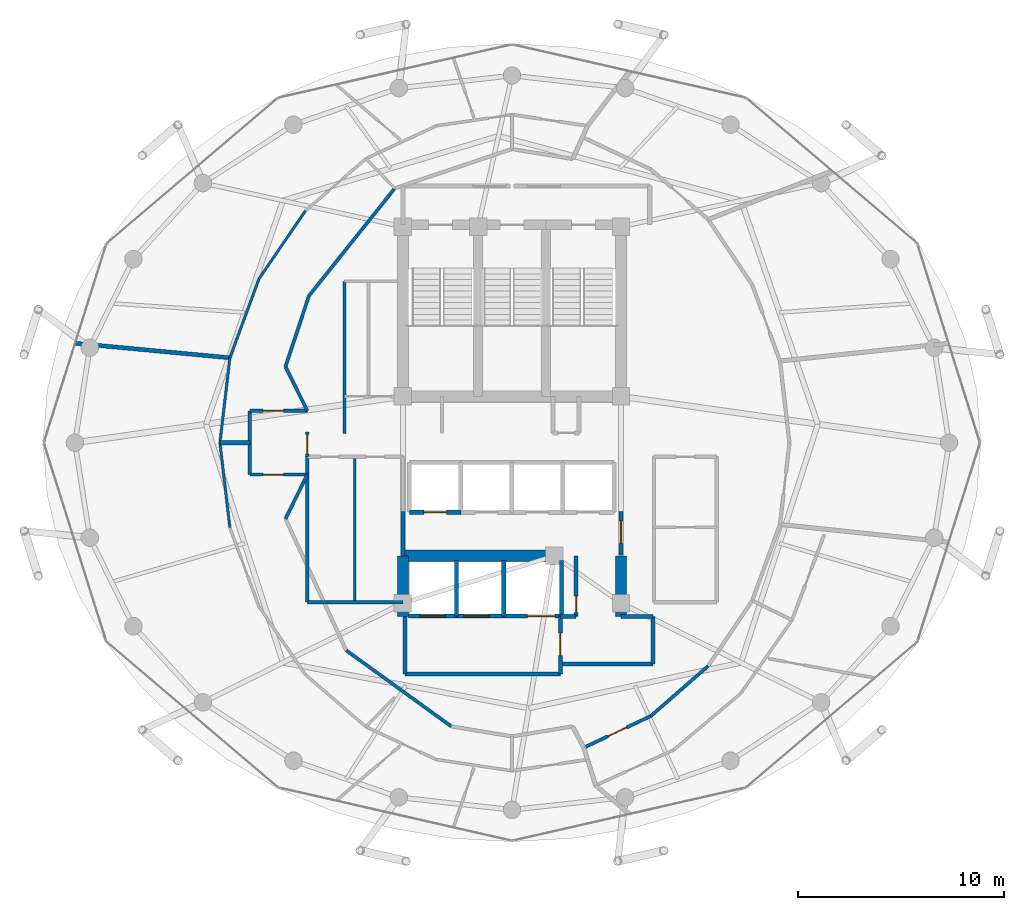
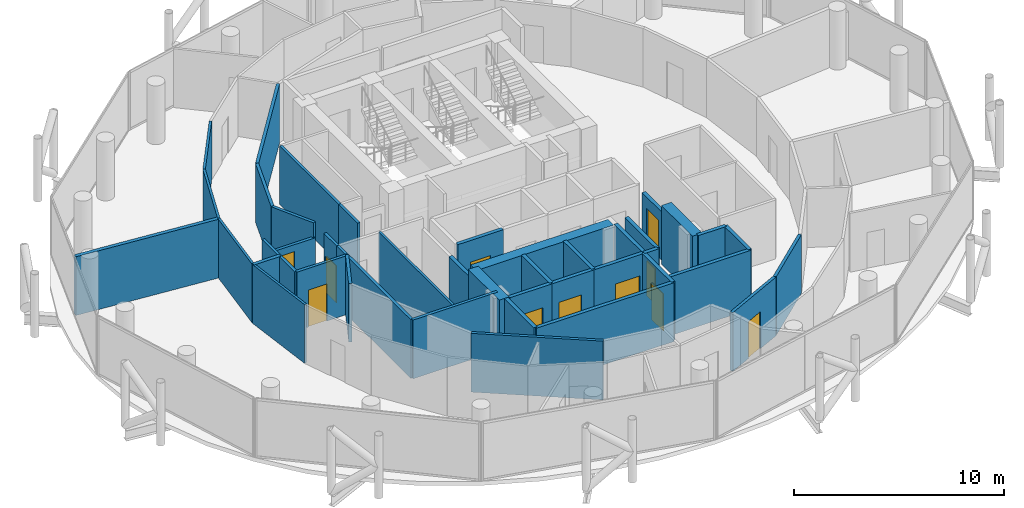
# One storey, part 23 of 27: 42 walls, 11 doors, 11 openings.
"""IFC4 building model written with IfcOpenShell, lengths in metres."""

from ifc_helpers import new_model, si_unit, direction, frame, frame_2d, origin, place, context, subcontext, project, spatial, rectangle, extrude, material, layer, layer_set, type_object, element, fill, save


model = new_model("IFC4")

# Units and contexts
model_context = context("Model", 3, precision=1e-05, world=origin(), true_north=direction((0.0, 1.0)))
body_context = subcontext(model_context, "Body", "Model", "MODEL_VIEW")
ifc_project = project(units=[si_unit("LENGTHUNIT", "METRE"), si_unit("AREAUNIT", "SQUARE_METRE"), si_unit("VOLUMEUNIT", "CUBIC_METRE"), si_unit("PLANEANGLEUNIT", "RADIAN"), si_unit("MASSUNIT", "GRAM", prefix="KILO")], contexts=[model_context])

# Site, building, storey
site_placement = place(None, origin())
site = spatial("IfcSite", under=ifc_project, at=site_placement, CompositionType="ELEMENT")
building_placement = place(site_placement, origin())
building = spatial("IfcBuilding", under=site, at=building_placement, Name="Nuhasar Tower", CompositionType="ELEMENT")
storey_placement = place(building_placement, frame((0.0, 0.0, 244.64990234375)))
storey = spatial("IfcBuildingStorey", under=building, at=storey_placement, Name="L60", CompositionType="ELEMENT", Elevation=244.64990234375)

# Walls
ifc_material_1 = material(Name="Concrete C55/67", Category="concrete")
ifc_layer_1 = layer(ifc_material_1, 0.550048828125)
ifc_layer_set_1 = layer_set([ifc_layer_1], Name="Concrete C55/67")
wall_type_1 = type_object("IfcWallType", Name="WL-CORE-550", PredefinedType="SHEAR", material=ifc_layer_set_1)
for number, where, z_axis, x_axis, name in (
    (1, (33.699951171875, 18.35009765625, 0.0), (0.0, 0.0, 1.0), (0.0, 1.0, 0.0), "L60 Core Shear Wall CW-SW CW-550"),
    (2, (44.300048828125, 18.35009765625, 0.0), (0.0, 0.0, 1.0), (0.0, 1.0, 0.0), "L60 Core Shear Wall CW-SE CW-550"),
):
    element("IfcWall", number, at=place(storey_placement, frame(where, z_axis=z_axis, x_axis=x_axis)), inside=storey, type_object=wall_type_1, Name=name, PredefinedType="SHEAR", context=body_context, shape_type="SweptSolid", body=[
        extrude(rectangle(XDim=2.949951171875, YDim=0.550048828125, at=frame_2d((1.47509765625, 0.0))), origin(), (0.0, 0.0, 1.0), 3.41015625),
    ])
wall_1_placement = place(storey_placement, frame((33.699951171875, 21.300048828125, 0.0), z_axis=(0.0, 0.0, 1.0), x_axis=(1.0, 0.0, 0.0)))
element("IfcWall", 3, at=wall_1_placement, inside=storey, type_object=wall_type_1, Name="L60 Core Shear Wall CW-S1 CW-550", PredefinedType="SHEAR", context=body_context, shape_type="SweptSolid", body=[
    extrude(rectangle(XDim=7.550048828125, YDim=0.550048828125, at=frame_2d((3.77490234375, 0.0))), origin(), (0.0, 0.0, 1.0), 3.41015625),
])
ifc_material_2 = material(Name="Gypsum Board", Category="gypsum")
ifc_layer_2 = layer(ifc_material_2, 0.159912109375)
ifc_layer_set_2 = layer_set([ifc_layer_2], Name="Gypsum Board")
wall_type_2 = type_object("IfcWallType", Name="WL-CORR-160", PredefinedType="PARTITIONING", material=ifc_layer_set_2)
wall_2_placement = place(storey_placement, frame((29.050048828125, 19.050048828125, 0.0), z_axis=(0.0, 0.0, 1.0), x_axis=(1.0, 0.0, 0.0)))
element("IfcWall", 4, at=wall_2_placement, inside=storey, type_object=wall_type_2, Name="L60 Interior Partition RECL-B1-S", PredefinedType="PARTITIONING", context=body_context, shape_type="SweptSolid", body=[
    extrude(rectangle(XDim=4.64990234375, YDim=0.159912109375, at=frame_2d((2.324951171875, 0.0))), origin(), (0.0, 0.0, 1.0), 3.41015625),
])
wall_3_placement = place(storey_placement, frame((29.050048828125, 19.050048828125, 0.0), z_axis=(0.0, 0.0, 1.0), x_axis=(0.0, 1.0, 0.0)))
element("IfcWall", 5, at=wall_3_placement, inside=storey, type_object=wall_type_2, Name="L60 Interior Partition RECL-B1-W", PredefinedType="PARTITIONING", context=body_context, shape_type="SweptSolid", body=[
    extrude(rectangle(XDim=7.070068359375, YDim=0.159912109375, at=frame_2d((3.53515625, 0.0))), origin(), (0.0, 0.0, 1.0), 3.41015625),
])

# Wall, opening, door
wall_4_placement = place(storey_placement, frame((29.050048828125, 26.1201171875, 0.0), z_axis=(0.0, 0.0, 1.0), x_axis=(0.0, 1.0, 0.0)))
wall_4 = element("IfcWall", 6, at=wall_4_placement, inside=storey, type_object=wall_type_2, Name="L60 Interior Partition WVEST-E", PredefinedType="PARTITIONING", context=body_context, shape_type="SweptSolid", body=[
    extrude(rectangle(XDim=1.199951171875, YDim=0.159912109375, at=frame_2d((0.60009765625, 0.0))), origin(), (0.0, 0.0, 1.0), 3.41015625),
])
opening_1_placement = place(wall_4_placement, frame((0.125, 0.0, 0.0)))
opening_1 = element("IfcOpeningElement", 7, at=opening_1_placement, cuts=wall_4, Name="Opening DO-01", PredefinedType="OPENING", context=body_context, shape_type="SweptSolid", body=[
    extrude(rectangle(XDim=0.949951171875, YDim=2.14990234375, at=frame_2d((0.47509765625, 1.074951171875))), frame((0.0, 0.08984375, 0.0), z_axis=(0.0, -1.0, 0.0), x_axis=(1.0, 0.0, 0.0)), (0.0, 0.0, 1.0), 0.179931640625),
])
ifc_material_3 = material(Name="Timber Oak", Category="wood")
door_type_1 = type_object("IfcDoorType", Name="DR-OFFICE-FD30-950", OperationType="NOTDEFINED", PredefinedType="DOOR", material=ifc_material_3)
door_1_placement = place(opening_1_placement, origin())
door_1 = element("IfcDoor", 8, at=door_1_placement, inside=storey, type_object=door_type_1, Name="L60 West Arrival Foyer Core Door", OperationType="SINGLE_SWING_RIGHT", OverallHeight=2.14990234375, OverallWidth=0.949951171875, PredefinedType="DOOR", context=body_context, shape_type="SweptSolid", body=[
    extrude(rectangle(XDim=0.949951171875, YDim=2.14990234375, at=frame_2d((0.47509765625, 1.074951171875))), frame((0.0, 0.02490234375, 0.0), z_axis=(0.0, -1.0, 0.0), x_axis=(1.0, 0.0, 0.0)), (0.0, 0.0, 1.0), 0.050048828125),
])
fill(opening_1, door_1)

wall_5_placement = place(storey_placement, frame((45.7451171875, 13.507080078125, 0.0), z_axis=(0.0, 0.0, 1.0), x_axis=(-0.90451704265, -0.42643747438, 0.0)))
wall_5 = element("IfcWall", 9, at=wall_5_placement, inside=storey, type_object=wall_type_2, Name="L60 Interior Partition CORR-38", PredefinedType="PARTITIONING", context=body_context, shape_type="SweptSolid", body=[
    extrude(rectangle(XDim=3.59765625, YDim=0.159912109375, at=frame_2d((1.798828125, 0.0))), origin(), (0.0, 0.0, 1.0), 3.41015625),
])
opening_2_placement = place(wall_5_placement, frame((1.299072265625, 0.0, 0.0)))
opening_2 = element("IfcOpeningElement", 10, at=opening_2_placement, cuts=wall_5, Name="Opening DU-02", PredefinedType="OPENING", context=body_context, shape_type="SweptSolid", body=[
    extrude(rectangle(XDim=1.0, YDim=2.14990234375, at=frame_2d((0.5, 1.074951171875))), frame((0.0, 0.08984375, 0.0), z_axis=(0.0, -1.0, 0.0), x_axis=(1.0, 0.0, 0.0)), (0.0, 0.0, 1.0), 0.179931640625),
])
door_type_2 = type_object("IfcDoorType", Name="DR-FLAT-FD60-1000", OperationType="NOTDEFINED", PredefinedType="DOOR", material=ifc_material_3)
door_2_placement = place(opening_2_placement, origin())
door_2 = element("IfcDoor", 11, at=door_2_placement, inside=storey, type_object=door_type_2, Name="L60 South-East Family Apartment Entrance Door", OperationType="SINGLE_SWING_RIGHT", OverallHeight=2.14990234375, OverallWidth=1.0, PredefinedType="DOOR", context=body_context, shape_type="SweptSolid", body=[
    extrude(rectangle(XDim=1.0, YDim=2.14990234375, at=frame_2d((0.5, 1.074951171875))), frame((0.0, 0.02490234375, 0.0), z_axis=(0.0, -1.0, 0.0), x_axis=(1.0, 0.0, 0.0)), (0.0, 0.0, 1.0), 0.050048828125),
])
fill(opening_2, door_2)

# Walls
wall_6_placement = place(storey_placement, frame((45.7451171875, 13.507080078125, 0.0), z_axis=(0.0, 0.0, 1.0), x_axis=(0.75334282606, 0.65762800003, 0.0)))
element("IfcWall", 12, at=wall_6_placement, inside=storey, type_object=wall_type_2, Name="L60 Interior Partition CORR-40", PredefinedType="PARTITIONING", context=body_context, shape_type="SweptSolid", body=[
    extrude(rectangle(XDim=3.708740234375, YDim=0.159912109375, at=frame_2d((1.8544921875, 0.0))), origin(), (0.0, 0.0, 1.0), 3.41015625),
])
wall_7_placement = place(storey_placement, frame((33.300048828125, 39.1669921875, 0.0), z_axis=(0.0, 0.0, 1.0), x_axis=(-0.623915746766, -0.781491612839, 0.0)))
element("IfcWall", 13, at=wall_7_placement, inside=storey, type_object=wall_type_2, Name="L60 Interior Partition UWEST-CORE-N2-16", PredefinedType="PARTITIONING", context=body_context, shape_type="SweptSolid", body=[
    extrude(rectangle(XDim=6.6884765625, YDim=0.159912109375, at=frame_2d((3.34423828125, 0.0))), origin(), (0.0, 0.0, 1.0), 3.41015625),
])
wall_8_placement = place(storey_placement, frame((29.126953125, 33.93994140625, 0.0), z_axis=(0.0, 0.0, 1.0), x_axis=(-0.313985571683, -0.949427754374, 0.0)))
element("IfcWall", 14, at=wall_8_placement, inside=storey, type_object=wall_type_2, Name="L60 Interior Partition UWEST-CORE-N2-20", PredefinedType="PARTITIONING", context=body_context, shape_type="SweptSolid", body=[
    extrude(rectangle(XDim=3.627197265625, YDim=0.159912109375, at=frame_2d((1.8134765625, 0.0))), origin(), (0.0, 0.0, 1.0), 3.41015625),
])
wall_9_placement = place(storey_placement, frame((30.93896484375, 16.702880859375, 0.0), z_axis=(0.0, 0.0, 1.0), x_axis=(0.810290119061, -0.586028943784, 0.0)))
element("IfcWall", 15, at=wall_9_placement, inside=storey, type_object=wall_type_2, Name="L60 Interior Partition UWEST-CORE-S1-30", PredefinedType="PARTITIONING", context=body_context, shape_type="SweptSolid", body=[
    extrude(rectangle(XDim=6.306396484375, YDim=0.159912109375, at=frame_2d((3.1533203125, 0.0))), origin(), (0.0, 0.0, 1.0), 3.41015625),
])

# Wall, opening, door
wall_10_placement = place(storey_placement, frame((26.25, 28.35009765625, 0.0), z_axis=(0.0, 0.0, 1.0), x_axis=(1.0, 0.0, 0.0)))
wall_10 = element("IfcWall", 16, at=wall_10_placement, inside=storey, type_object=wall_type_2, Name="L60 Interior Partition WVEST-N", PredefinedType="PARTITIONING", context=body_context, shape_type="SweptSolid", body=[
    extrude(rectangle(XDim=2.800048828125, YDim=0.159912109375, at=frame_2d((1.39990234375, 0.0))), origin(), (0.0, 0.0, 1.0), 2.550048828125),
])
opening_3_placement = place(wall_10_placement, frame((0.64990234375, 0.0, 0.0)))
opening_3 = element("IfcOpeningElement", 17, at=opening_3_placement, cuts=wall_10, Name="Opening DU-02", PredefinedType="OPENING", context=body_context, shape_type="SweptSolid", body=[
    extrude(rectangle(XDim=1.0, YDim=2.14990234375, at=frame_2d((0.5, 1.074951171875))), frame((0.0, 0.08984375, 0.0), z_axis=(0.0, -1.0, 0.0), x_axis=(1.0, 0.0, 0.0)), (0.0, 0.0, 1.0), 0.179931640625),
])
door_3_placement = place(opening_3_placement, origin())
door_3 = element("IfcDoor", 18, at=door_3_placement, inside=storey, type_object=door_type_2, Name="L60 North-West Sky Home Entrance", OperationType="SINGLE_SWING_LEFT", OverallHeight=2.14990234375, OverallWidth=1.0, PredefinedType="DOOR", context=body_context, shape_type="SweptSolid", body=[
    extrude(rectangle(XDim=1.0, YDim=2.14990234375, at=frame_2d((0.5, 1.074951171875))), frame((0.0, 0.02490234375, 0.0), z_axis=(0.0, -1.0, 0.0), x_axis=(1.0, 0.0, 0.0)), (0.0, 0.0, 1.0), 0.050048828125),
])
fill(opening_3, door_3)

wall_11_placement = place(storey_placement, frame((26.25, 25.25, 0.0), z_axis=(0.0, 0.0, 1.0), x_axis=(1.0, 0.0, 0.0)))
wall_11 = element("IfcWall", 19, at=wall_11_placement, inside=storey, type_object=wall_type_2, Name="L60 Interior Partition WVEST-S", PredefinedType="PARTITIONING", context=body_context, shape_type="SweptSolid", body=[
    extrude(rectangle(XDim=2.800048828125, YDim=0.159912109375, at=frame_2d((1.39990234375, 0.0))), origin(), (0.0, 0.0, 1.0), 3.41015625),
])
opening_4_placement = place(wall_11_placement, frame((0.64990234375, 0.0, 0.0)))
opening_4 = element("IfcOpeningElement", 20, at=opening_4_placement, cuts=wall_11, Name="Opening DU-02", PredefinedType="OPENING", context=body_context, shape_type="SweptSolid", body=[
    extrude(rectangle(XDim=1.0, YDim=2.14990234375, at=frame_2d((0.5, 1.074951171875))), frame((0.0, 0.08984375, 0.0), z_axis=(0.0, -1.0, 0.0), x_axis=(1.0, 0.0, 0.0)), (0.0, 0.0, 1.0), 0.179931640625),
])
door_4_placement = place(opening_4_placement, origin())
door_4 = element("IfcDoor", 21, at=door_4_placement, inside=storey, type_object=door_type_2, Name="L60 South-West Sky Home Entrance", OperationType="SINGLE_SWING_LEFT", OverallHeight=2.14990234375, OverallWidth=1.0, PredefinedType="DOOR", context=body_context, shape_type="SweptSolid", body=[
    extrude(rectangle(XDim=1.0, YDim=2.14990234375, at=frame_2d((0.5, 1.074951171875))), frame((0.0, 0.02490234375, 0.0), z_axis=(0.0, -1.0, 0.0), x_axis=(1.0, 0.0, 0.0)), (0.0, 0.0, 1.0), 0.050048828125),
])
fill(opening_4, door_4)

# Walls
wall_12_placement = place(storey_placement, frame((26.25, 25.25, 0.0), z_axis=(0.0, 0.0, 1.0), x_axis=(0.0, 1.0, 0.0)))
element("IfcWall", 22, at=wall_12_placement, inside=storey, type_object=wall_type_2, Name="L60 Interior Partition WVEST-W", PredefinedType="PARTITIONING", context=body_context, shape_type="SweptSolid", body=[
    extrude(rectangle(XDim=3.10009765625, YDim=0.159912109375, at=frame_2d((1.550048828125, 0.0))), origin(), (0.0, 0.0, 1.0), 3.41015625),
])
for number, where, z_axis, x_axis, name in (
    (23, (27.988037109375, 30.49609375, 0.0), (0.0, 0.0, 1.0), (0.443539160525, -0.896254993337, 0.0), "L60 Interior Partition WVEST-CN"),
    (24, (27.988037109375, 23.10400390625, 0.0), (0.0, 0.0, 1.0), (0.443539160525, 0.896254993337, 0.0), "L60 Interior Partition WVEST-CS"),
):
    element("IfcWall", number, at=place(storey_placement, frame(where, z_axis=z_axis, x_axis=x_axis)), inside=storey, type_object=wall_type_2, Name=name, PredefinedType="PARTITIONING", context=body_context, shape_type="SweptSolid", body=[
        extrude(rectangle(XDim=2.394287109375, YDim=0.159912109375, at=frame_2d((1.197265625, 0.0))), origin(), (0.0, 0.0, 1.0), 3.41015625),
    ])
ifc_material_4 = material(Name="Concrete C45/55", Category="concrete")
ifc_layer_3 = layer(ifc_material_4, 0.199951171875)
ifc_layer_set_3 = layer_set([ifc_layer_3], Name="Concrete C45/55")
wall_type_3 = type_object("IfcWallType", Name="WL-LOBBY-200", PredefinedType="SOLIDWALL", material=ifc_layer_set_3)
wall_13_placement = place(storey_placement, frame((33.699951171875, 21.300048828125, 0.0), z_axis=(0.0, 0.0, 1.0), x_axis=(0.0, 1.0, 0.0)))
element("IfcWall", 25, at=wall_13_placement, inside=storey, type_object=wall_type_3, Name="L60 Interior Partition LLBH-W", PredefinedType="SOLIDWALL", context=body_context, shape_type="SweptSolid", body=[
    extrude(rectangle(XDim=2.14990234375, YDim=0.199951171875, at=frame_2d((1.074951171875, 0.0))), origin(), (0.0, 0.0, 1.0), 2.795166015625),
])

# Wall, opening, door
wall_14_placement = place(storey_placement, frame((44.300048828125, 21.35009765625, 0.0), z_axis=(0.0, 0.0, 1.0), x_axis=(0.0, 1.0, 0.0)))
wall_14 = element("IfcWall", 26, at=wall_14_placement, inside=storey, type_object=wall_type_3, Name="L60 Interior Partition LLBH-E", PredefinedType="SOLIDWALL", context=body_context, shape_type="SweptSolid", body=[
    extrude(rectangle(XDim=2.099853515625, YDim=0.199951171875, at=frame_2d((1.0498046875, 0.0))), origin(), (0.0, 0.0, 1.0), 2.795166015625),
])
opening_5_placement = place(wall_14_placement, frame((0.550048828125, 0.0, 0.0)))
opening_5 = element("IfcOpeningElement", 27, at=opening_5_placement, cuts=wall_14, Name="Opening DS-02", PredefinedType="OPENING", context=body_context, shape_type="SweptSolid", body=[
    extrude(rectangle(XDim=1.10009765625, YDim=2.14990234375, at=frame_2d((0.550048828125, 1.074951171875))), frame((0.0, 0.10986328125, 0.0), z_axis=(0.0, -1.0, 0.0), x_axis=(1.0, 0.0, 0.0)), (0.0, 0.0, 1.0), 0.219970703125),
])
ifc_material_5 = material(Name="Steel S355", Category="steel")
door_type_3 = type_object("IfcDoorType", Name="DR-FFL-FD120-1100", OperationType="NOTDEFINED", PredefinedType="DOOR", material=ifc_material_5)
door_5_placement = place(opening_5_placement, origin())
door_5 = element("IfcDoor", 28, at=door_5_placement, inside=storey, type_object=door_type_3, Name="L60 High-Rise Lobby East Door", OperationType="SINGLE_SWING_RIGHT", OverallHeight=2.14990234375, OverallWidth=1.10009765625, PredefinedType="DOOR", context=body_context, shape_type="SweptSolid", body=[
    extrude(rectangle(XDim=1.10009765625, YDim=2.14990234375, at=frame_2d((0.550048828125, 1.074951171875))), frame((0.0, 0.02490234375, 0.0), z_axis=(0.0, -1.0, 0.0), x_axis=(1.0, 0.0, 0.0)), (0.0, 0.0, 1.0), 0.050048828125),
])
fill(opening_5, door_5)

# Walls
wall_15_placement = place(storey_placement, frame((33.800048828125, 15.550048828125, 0.0), z_axis=(0.0, 0.0, 1.0), x_axis=(1.0, 0.0, 0.0)))
element("IfcWall", 29, at=wall_15_placement, inside=storey, type_object=wall_type_3, Name="L60 Interior Partition FFL-S", PredefinedType="SOLIDWALL", context=body_context, shape_type="SweptSolid", body=[
    extrude(rectangle(XDim=7.550048828125, YDim=0.199951171875, at=frame_2d((3.77490234375, 0.0))), origin(), (0.0, 0.0, 1.0), 3.41015625),
])
wall_16_placement = place(storey_placement, frame((33.800048828125, 15.550048828125, 0.0), z_axis=(0.0, 0.0, 1.0), x_axis=(0.0, 1.0, 0.0)))
element("IfcWall", 30, at=wall_16_placement, inside=storey, type_object=wall_type_3, Name="L60 Interior Partition FFL-W", PredefinedType="SOLIDWALL", context=body_context, shape_type="SweptSolid", body=[
    extrude(rectangle(XDim=2.800048828125, YDim=0.199951171875, at=frame_2d((1.39990234375, 0.0))), origin(), (0.0, 0.0, 1.0), 3.41015625),
])

# Wall, opening, door
wall_17_placement = place(storey_placement, frame((41.35009765625, 15.550048828125, 0.0), z_axis=(0.0, 0.0, 1.0), x_axis=(0.0, 1.0, 0.0)))
wall_17 = element("IfcWall", 31, at=wall_17_placement, inside=storey, type_object=wall_type_3, Name="L60 Interior Partition FFL-E", PredefinedType="SOLIDWALL", context=body_context, shape_type="SweptSolid", body=[
    extrude(rectangle(XDim=2.800048828125, YDim=0.199951171875, at=frame_2d((1.39990234375, 0.0))), origin(), (0.0, 0.0, 1.0), 3.41015625),
])
opening_6_placement = place(wall_17_placement, frame((0.89990234375, 0.0, 0.0)))
opening_6 = element("IfcOpeningElement", 32, at=opening_6_placement, cuts=wall_17, Name="Opening DS-02", PredefinedType="OPENING", context=body_context, shape_type="SweptSolid", body=[
    extrude(rectangle(XDim=1.10009765625, YDim=2.14990234375, at=frame_2d((0.550048828125, 1.074951171875))), frame((0.0, 0.10986328125, 0.0), z_axis=(0.0, -1.0, 0.0), x_axis=(1.0, 0.0, 0.0)), (0.0, 0.0, 1.0), 0.219970703125),
])
door_6_placement = place(opening_6_placement, origin())
door_6 = element("IfcDoor", 33, at=door_6_placement, inside=storey, type_object=door_type_3, Name="L60 Firefighting Lobby Door", OperationType="SINGLE_SWING_RIGHT", OverallHeight=2.14990234375, OverallWidth=1.10009765625, PredefinedType="DOOR", context=body_context, shape_type="SweptSolid", body=[
    extrude(rectangle(XDim=1.10009765625, YDim=2.14990234375, at=frame_2d((0.550048828125, 1.074951171875))), frame((0.0, 0.02490234375, 0.0), z_axis=(0.0, -1.0, 0.0), x_axis=(1.0, 0.0, 0.0)), (0.0, 0.0, 1.0), 0.050048828125),
])
fill(opening_6, door_6)

# Walls
wall_18_placement = place(storey_placement, frame((41.35009765625, 16.050048828125, 0.0), z_axis=(0.0, 0.0, 1.0), x_axis=(1.0, 0.0, 0.0)))
element("IfcWall", 34, at=wall_18_placement, inside=storey, type_object=wall_type_3, Name="L60 Interior Partition SVLV-S", PredefinedType="SOLIDWALL", context=body_context, shape_type="SweptSolid", body=[
    extrude(rectangle(XDim=4.5, YDim=0.199951171875, at=frame_2d((2.25, 0.0))), origin(), (0.0, 0.0, 1.0), 3.41015625),
])
wall_19_placement = place(storey_placement, frame((45.85009765625, 16.050048828125, 0.0), z_axis=(0.0, 0.0, 1.0), x_axis=(0.0, 1.0, 0.0)))
element("IfcWall", 35, at=wall_19_placement, inside=storey, type_object=wall_type_3, Name="L60 Interior Partition SVLV-E", PredefinedType="SOLIDWALL", context=body_context, shape_type="SweptSolid", body=[
    extrude(rectangle(XDim=2.300048828125, YDim=0.199951171875, at=frame_2d((1.14990234375, 0.0))), origin(), (0.0, 0.0, 1.0), 3.41015625),
])
wall_20_placement = place(storey_placement, frame((44.300048828125, 18.35009765625, 0.0), z_axis=(0.0, 0.0, 1.0), x_axis=(1.0, 0.0, 0.0)))
element("IfcWall", 36, at=wall_20_placement, inside=storey, type_object=wall_type_3, Name="L60 Interior Partition SVLV-N", PredefinedType="SOLIDWALL", context=body_context, shape_type="SweptSolid", body=[
    extrude(rectangle(XDim=1.550048828125, YDim=0.199951171875, at=frame_2d((0.77490234375, 0.0))), origin(), (0.0, 0.0, 1.0), 3.41015625),
])
ifc_layer_4 = layer(ifc_material_2, 0.125)
ifc_layer_set_4 = layer_set([ifc_layer_4], Name="Gypsum Board")
wall_type_4 = type_object("IfcWallType", Name="WL-PART-125", PredefinedType="PARTITIONING", material=ifc_layer_set_4)
wall_21_placement = place(storey_placement, frame((31.35009765625, 19.050048828125, 0.0), z_axis=(0.0, 0.0, 1.0), x_axis=(0.0, 1.0, 0.0)))
element("IfcWall", 37, at=wall_21_placement, inside=storey, type_object=wall_type_4, Name="L60 Interior Partition RECL-B1-V", PredefinedType="PARTITIONING", context=body_context, shape_type="SweptSolid", body=[
    extrude(rectangle(XDim=7.070068359375, YDim=0.125, at=frame_2d((3.53515625, 0.0))), origin(), (0.0, 0.0, 1.0), 3.41015625),
])
wall_22_placement = place(storey_placement, frame((28.958984375, 38.077880859375, 0.0), z_axis=(0.0, 0.0, 1.0), x_axis=(-0.56419813198, -0.825639429697, 0.0)))
element("IfcWall", 38, at=wall_22_placement, inside=storey, type_object=wall_type_4, Name="L60 Interior Partition USM-1-D-18", PredefinedType="PARTITIONING", context=body_context, shape_type="SweptSolid", body=[
    extrude(rectangle(XDim=4.00048828125, YDim=0.125, at=frame_2d((2.000244140625, 0.0))), origin(), (0.0, 0.0, 1.0), 3.41015625),
])
wall_23_placement = place(storey_placement, frame((26.701904296875, 34.77490234375, 0.0), z_axis=(0.0, 0.0, 1.0), x_axis=(-0.345851608983, -0.938289222236, 0.0)))
element("IfcWall", 39, at=wall_23_placement, inside=storey, type_object=wall_type_4, Name="L60 Interior Partition USM-1-D-20", PredefinedType="PARTITIONING", context=body_context, shape_type="SweptSolid", body=[
    extrude(rectangle(XDim=4.099853515625, YDim=0.125, at=frame_2d((2.0498046875, 0.0))), origin(), (0.0, 0.0, 1.0), 3.41015625),
])
for number, where, z_axis, x_axis, name in (
    (40, (25.283935546875, 30.927978515625, 0.0), (0.0, 0.0, 1.0), (-0.116425436493, -0.993199435027, 0.0), "L60 Interior Partition USM-1-D-22"),
    (41, (24.800048828125, 26.800048828125, 0.0), (0.0, 0.0, 1.0), (0.116425436493, -0.993199435027, 0.0), "L60 Interior Partition USM-2-D-24"),
):
    element("IfcWall", number, at=place(storey_placement, frame(where, z_axis=z_axis, x_axis=x_axis)), inside=storey, type_object=wall_type_4, Name=name, PredefinedType="PARTITIONING", context=body_context, shape_type="SweptSolid", body=[
        extrude(rectangle(XDim=4.15625, YDim=0.125, at=frame_2d((2.078125, 0.0))), origin(), (0.0, 0.0, 1.0), 3.41015625),
    ])

# Wall, opening, door
ifc_layer_5 = layer(ifc_material_4, 0.199951171875)
ifc_layer_set_5 = layer_set([ifc_layer_5], Name="Concrete C45/55")
wall_type_5 = type_object("IfcWallType", Name="WL-SHAFT-200", PredefinedType="SOLIDWALL", material=ifc_layer_set_5)
wall_24_placement = place(storey_placement, frame((34.02001953125, 23.419921875, 0.0), z_axis=(0.0, 0.0, 1.0), x_axis=(1.0, 0.0, 0.0)))
wall_24 = element("IfcWall", 42, at=wall_24_placement, inside=storey, type_object=wall_type_5, Name="L60 Interior Partition SHF-PL-H01-S", PredefinedType="SOLIDWALL", context=body_context, shape_type="SweptSolid", body=[
    extrude(rectangle(XDim=2.5, YDim=0.199951171875, at=frame_2d((1.25, 0.0))), origin(), (0.0, 0.0, 1.0), 3.41015625),
])
opening_7_placement = place(wall_24_placement, frame((0.699951171875, 0.0, 0.0)))
opening_7 = element("IfcOpeningElement", 43, at=opening_7_placement, cuts=wall_24, Name="Opening LD-H01", PredefinedType="OPENING", context=body_context, shape_type="SweptSolid", body=[
    extrude(rectangle(XDim=1.10009765625, YDim=2.14990234375, at=frame_2d((0.550048828125, 1.074951171875))), frame((0.0, 0.10986328125, 0.0), z_axis=(0.0, -1.0, 0.0), x_axis=(1.0, 0.0, 0.0)), (0.0, 0.0, 1.0), 0.219970703125),
])
ifc_material_6 = material(Name="Stainless Steel 316L", Category="steel")
door_type_4 = type_object("IfcDoorType", Name="LD-PAX-1100", OperationType="DOUBLE_DOOR_SLIDING", PredefinedType="DOOR", material=ifc_material_6)
door_7_placement = place(opening_7_placement, origin())
door_7 = element("IfcDoor", 44, at=door_7_placement, inside=storey, type_object=door_type_4, Name="L60 Lift Landing Door PL-H01", OperationType="DOUBLE_DOOR_SLIDING", OverallHeight=2.14990234375, OverallWidth=1.10009765625, PredefinedType="DOOR", context=body_context, shape_type="SweptSolid", body=[
    extrude(rectangle(XDim=1.10009765625, YDim=2.14990234375, at=frame_2d((0.550048828125, 1.074951171875))), frame((0.0, 0.02490234375, 0.0), z_axis=(0.0, -1.0, 0.0), x_axis=(1.0, 0.0, 0.0)), (0.0, 0.0, 1.0), 0.050048828125),
])
fill(opening_7, door_7)

wall_25_placement = place(storey_placement, frame((33.969970703125, 18.3701171875, 0.0), z_axis=(0.0, 0.0, 1.0), x_axis=(1.0, 0.0, 0.0)))
wall_25 = element("IfcWall", 45, at=wall_25_placement, inside=storey, type_object=wall_type_5, Name="L60 Interior Partition SHF-FFL-01-S", PredefinedType="SOLIDWALL", context=body_context, shape_type="SweptSolid", body=[
    extrude(rectangle(XDim=2.360107421875, YDim=0.199951171875, at=frame_2d((1.18017578125, 0.0))), origin(), (0.0, 0.0, 1.0), 3.41015625),
])
opening_8_placement = place(wall_25_placement, frame((0.554931640625, 0.0, 0.0)))
opening_8 = element("IfcOpeningElement", 46, at=opening_8_placement, cuts=wall_25, Name="Opening LD-F01", PredefinedType="OPENING", context=body_context, shape_type="SweptSolid", body=[
    extrude(rectangle(XDim=1.25, YDim=2.199951171875, at=frame_2d((0.625, 1.10009765625))), frame((0.0, 0.10986328125, 0.0), z_axis=(0.0, -1.0, 0.0), x_axis=(1.0, 0.0, 0.0)), (0.0, 0.0, 1.0), 0.219970703125),
])
door_type_5 = type_object("IfcDoorType", Name="LD-FFL-1250", OperationType="DOUBLE_DOOR_SLIDING", PredefinedType="DOOR", material=ifc_material_6)
door_8_placement = place(opening_8_placement, origin())
door_8 = element("IfcDoor", 47, at=door_8_placement, inside=storey, type_object=door_type_5, Name="L60 Lift Landing Door FFL-01", OperationType="DOUBLE_DOOR_SLIDING", OverallHeight=2.199951171875, OverallWidth=1.25, PredefinedType="DOOR", context=body_context, shape_type="SweptSolid", body=[
    extrude(rectangle(XDim=1.25, YDim=2.199951171875, at=frame_2d((0.625, 1.10009765625))), frame((0.0, 0.02490234375, 0.0), z_axis=(0.0, -1.0, 0.0), x_axis=(1.0, 0.0, 0.0)), (0.0, 0.0, 1.0), 0.050048828125),
])
fill(opening_8, door_8)

# Wall
wall_26_placement = place(storey_placement, frame((36.300048828125, 18.3701171875, 0.0), z_axis=(0.0, 0.0, 1.0), x_axis=(0.0, 1.0, 0.0)))
element("IfcWall", 48, at=wall_26_placement, inside=storey, type_object=wall_type_5, Name="L60 Interior Partition SHF-FFL-01-E", PredefinedType="SOLIDWALL", context=body_context, shape_type="SweptSolid", body=[
    extrude(rectangle(XDim=2.7099609375, YDim=0.199951171875, at=frame_2d((1.35498046875, 0.0))), origin(), (0.0, 0.0, 1.0), 3.41015625),
])

# Wall, opening, door
wall_27_placement = place(storey_placement, frame((36.27001953125, 18.3701171875, 0.0), z_axis=(0.0, 0.0, 1.0), x_axis=(1.0, 0.0, 0.0)))
wall_27 = element("IfcWall", 49, at=wall_27_placement, inside=storey, type_object=wall_type_5, Name="L60 Interior Partition SHF-FFL-02-S", PredefinedType="SOLIDWALL", context=body_context, shape_type="SweptSolid", body=[
    extrude(rectangle(XDim=2.35986328125, YDim=0.199951171875, at=frame_2d((1.179931640625, 0.0))), origin(), (0.0, 0.0, 1.0), 3.41015625),
])
opening_9_placement = place(wall_27_placement, frame((0.3798828125, 0.0, 0.0)))
opening_9 = element("IfcOpeningElement", 50, at=opening_9_placement, cuts=wall_27, Name="Opening LD-F02", PredefinedType="OPENING", context=body_context, shape_type="SweptSolid", body=[
    extrude(rectangle(XDim=1.25, YDim=2.199951171875, at=frame_2d((0.625, 1.10009765625))), frame((0.0, 0.10986328125, 0.0), z_axis=(0.0, -1.0, 0.0), x_axis=(1.0, 0.0, 0.0)), (0.0, 0.0, 1.0), 0.219970703125),
])
door_9_placement = place(opening_9_placement, origin())
door_9 = element("IfcDoor", 51, at=door_9_placement, inside=storey, type_object=door_type_5, Name="L60 Lift Landing Door FFL-02", OperationType="DOUBLE_DOOR_SLIDING", OverallHeight=2.199951171875, OverallWidth=1.25, PredefinedType="DOOR", context=body_context, shape_type="SweptSolid", body=[
    extrude(rectangle(XDim=1.25, YDim=2.199951171875, at=frame_2d((0.625, 1.10009765625))), frame((0.0, 0.02490234375, 0.0), z_axis=(0.0, -1.0, 0.0), x_axis=(1.0, 0.0, 0.0)), (0.0, 0.0, 1.0), 0.050048828125),
])
fill(opening_9, door_9)

# Wall
wall_28_placement = place(storey_placement, frame((38.60009765625, 18.3701171875, 0.0), z_axis=(0.0, 0.0, 1.0), x_axis=(0.0, 1.0, 0.0)))
element("IfcWall", 52, at=wall_28_placement, inside=storey, type_object=wall_type_5, Name="L60 Interior Partition SHF-FFL-02-E", PredefinedType="SOLIDWALL", context=body_context, shape_type="SweptSolid", body=[
    extrude(rectangle(XDim=2.7099609375, YDim=0.199951171875, at=frame_2d((1.35498046875, 0.0))), origin(), (0.0, 0.0, 1.0), 3.41015625),
])

# Wall, opening, door
wall_29_placement = place(storey_placement, frame((38.570068359375, 18.3701171875, 0.0), z_axis=(0.0, 0.0, 1.0), x_axis=(1.0, 0.0, 0.0)))
wall_29 = element("IfcWall", 53, at=wall_29_placement, inside=storey, type_object=wall_type_5, Name="L60 Interior Partition SHF-SVL-01-S", PredefinedType="SOLIDWALL", context=body_context, shape_type="SweptSolid", body=[
    extrude(rectangle(XDim=2.829833984375, YDim=0.199951171875, at=frame_2d((1.4150390625, 0.0))), origin(), (0.0, 0.0, 1.0), 3.41015625),
])
opening_10_placement = place(wall_29_placement, frame((1.179931640625, 0.0, 0.0)))
opening_10 = element("IfcOpeningElement", 54, at=opening_10_placement, cuts=wall_29, Name="Opening LD-S01", PredefinedType="OPENING", context=body_context, shape_type="SweptSolid", body=[
    extrude(rectangle(XDim=1.35009765625, YDim=2.179931640625, at=frame_2d((0.675048828125, 1.08984375))), frame((0.0, 0.10986328125, 0.0), z_axis=(0.0, -1.0, 0.0), x_axis=(1.0, 0.0, 0.0)), (0.0, 0.0, 1.0), 0.219970703125),
])
door_type_6 = type_object("IfcDoorType", Name="LD-SVL-1350", OperationType="DOUBLE_DOOR_SLIDING", PredefinedType="DOOR", material=ifc_material_6)
door_10_placement = place(opening_10_placement, origin())
door_10 = element("IfcDoor", 55, at=door_10_placement, inside=storey, type_object=door_type_6, Name="L60 Lift Landing Door SVL-01", OperationType="DOUBLE_DOOR_SLIDING", OverallHeight=2.179931640625, OverallWidth=1.35009765625, PredefinedType="DOOR", context=body_context, shape_type="SweptSolid", body=[
    extrude(rectangle(XDim=1.35009765625, YDim=2.179931640625, at=frame_2d((0.675048828125, 1.08984375))), frame((0.0, 0.02490234375, 0.0), z_axis=(0.0, -1.0, 0.0), x_axis=(1.0, 0.0, 0.0)), (0.0, 0.0, 1.0), 0.050048828125),
])
fill(opening_10, door_10)

# Wall
wall_30_placement = place(storey_placement, frame((41.39990234375, 18.3701171875, 0.0), z_axis=(0.0, 0.0, 1.0), x_axis=(0.0, 1.0, 0.0)))
element("IfcWall", 56, at=wall_30_placement, inside=storey, type_object=wall_type_5, Name="L60 Interior Partition SHF-SVL-01-E", PredefinedType="SOLIDWALL", context=body_context, shape_type="SweptSolid", body=[
    extrude(rectangle(XDim=2.7099609375, YDim=0.199951171875, at=frame_2d((1.35498046875, 0.0))), origin(), (0.0, 0.0, 1.0), 3.41015625),
])

# Wall, opening, door
wall_31_placement = place(storey_placement, frame((42.1201171875, 18.35009765625, 0.0), z_axis=(0.0, 0.0, 1.0), x_axis=(0.0, 1.0, 0.0)))
wall_31 = element("IfcWall", 57, at=wall_31_placement, inside=storey, type_object=wall_type_5, Name="L60 Interior Partition RSR-E", PredefinedType="SOLIDWALL", context=body_context, shape_type="SweptSolid", body=[
    extrude(rectangle(XDim=2.949951171875, YDim=0.199951171875, at=frame_2d((1.47509765625, 0.0))), origin(), (0.0, 0.0, 1.0), 3.41015625),
])
opening_11_placement = place(wall_31_placement, frame((0.199951171875, 0.0, 0.0)))
opening_11 = element("IfcOpeningElement", 58, at=opening_11_placement, cuts=wall_31, Name="Opening DM-01", PredefinedType="OPENING", context=body_context, shape_type="SweptSolid", body=[
    extrude(rectangle(XDim=0.800048828125, YDim=2.050048828125, at=frame_2d((0.39990234375, 1.02490234375))), frame((0.0, 0.10986328125, 0.0), z_axis=(0.0, -1.0, 0.0), x_axis=(1.0, 0.0, 0.0)), (0.0, 0.0, 1.0), 0.219970703125),
])
door_type_7 = type_object("IfcDoorType", Name="DR-RISER-FD60-800", OperationType="NOTDEFINED", PredefinedType="DOOR", material=ifc_material_5)
door_11_placement = place(opening_11_placement, origin())
door_11 = element("IfcDoor", 59, at=door_11_placement, inside=storey, type_object=door_type_7, Name="L60 MEP Riser Access Door", OperationType="SINGLE_SWING_LEFT", OverallHeight=2.050048828125, OverallWidth=0.800048828125, PredefinedType="DOOR", context=body_context, shape_type="SweptSolid", body=[
    extrude(rectangle(XDim=0.800048828125, YDim=2.050048828125, at=frame_2d((0.39990234375, 1.02490234375))), frame((0.0, 0.02490234375, 0.0), z_axis=(0.0, -1.0, 0.0), x_axis=(1.0, 0.0, 0.0)), (0.0, 0.0, 1.0), 0.050048828125),
])
fill(opening_11, door_11)

# Walls
wall_32_placement = place(storey_placement, frame((41.35009765625, 18.35009765625, 0.0), z_axis=(0.0, 0.0, 1.0), x_axis=(1.0, 0.0, 0.0)))
element("IfcWall", 60, at=wall_32_placement, inside=storey, type_object=wall_type_5, Name="L60 Interior Partition RSR-S", PredefinedType="SOLIDWALL", context=body_context, shape_type="SweptSolid", body=[
    extrude(rectangle(XDim=0.77001953125, YDim=0.199951171875, at=frame_2d((0.385009765625, 0.0))), origin(), (0.0, 0.0, 1.0), 3.41015625),
])
ifc_material_7 = material(Name="Concrete C40/50 precast", Category="concrete")
ifc_layer_6 = layer(ifc_material_7, 0.199951171875)
ifc_layer_set_6 = layer_set([ifc_layer_6], Name="Concrete C40/50 precast")
wall_type_6 = type_object("IfcWallType", Name="WL-UNIT-200", PredefinedType="PARTITIONING", material=ifc_layer_set_6)
wall_33_placement = place(storey_placement, frame((26.25, 26.800048828125, 0.0), z_axis=(0.0, 0.0, 1.0), x_axis=(-1.0, 0.0, 0.0)))
element("IfcWall", 61, at=wall_33_placement, inside=storey, type_object=wall_type_6, Name="L60 Interior Partition UWEST-PARTY-IN", PredefinedType="PARTITIONING", context=body_context, shape_type="SweptSolid", body=[
    extrude(rectangle(XDim=1.449951171875, YDim=0.199951171875, at=frame_2d((0.72509765625, 0.0))), origin(), (0.0, 0.0, 1.0), 3.41015625),
])
wall_34_placement = place(storey_placement, frame((25.283935546875, 30.927978515625, 0.0), z_axis=(0.0, 0.0, 1.0), x_axis=(-0.995618938053, 0.093503637305, 0.0)))
element("IfcWall", 62, at=wall_34_placement, inside=storey, type_object=wall_type_6, Name="L60 Interior Partition UWEST-PARTY-OUT", PredefinedType="PARTITIONING", context=body_context, shape_type="SweptSolid", body=[
    extrude(rectangle(XDim=7.519775390625, YDim=0.199951171875, at=frame_2d((3.759765625, 0.0))), origin(), (0.0, 0.0, 1.0), 3.41015625),
])
ifc_layer_7 = layer(ifc_material_7, 0.139892578125)
ifc_layer_set_7 = layer_set([ifc_layer_7], Name="Concrete C40/50 precast")
wall_type_7 = type_object("IfcWallType", Name="WL-WET-140", PredefinedType="PARTITIONING", material=ifc_layer_set_7)
wall_35_placement = place(storey_placement, frame((30.85009765625, 27.239990234375, 0.0), z_axis=(0.0, 0.0, 1.0), x_axis=(0.0, 1.0, 0.0)))
element("IfcWall", 63, at=wall_35_placement, inside=storey, type_object=wall_type_7, Name="L60 Interior Partition K2-FOY-W", PredefinedType="PARTITIONING", context=body_context, shape_type="SweptSolid", body=[
    extrude(rectangle(XDim=1.81005859375, YDim=0.139892578125, at=frame_2d((0.905029296875, 0.0))), origin(), (0.0, 0.0, 1.0), 3.41015625),
])
wall_36_placement = place(storey_placement, frame((30.85009765625, 29.050048828125, 0.0), z_axis=(0.0, 0.0, 1.0), x_axis=(0.0, 1.0, 0.0)))
element("IfcWall", 64, at=wall_36_placement, inside=storey, type_object=wall_type_7, Name="L60 Interior Partition K2-NW-W", PredefinedType="PARTITIONING", context=body_context, shape_type="SweptSolid", body=[
    extrude(rectangle(XDim=5.599853515625, YDim=0.139892578125, at=frame_2d((2.7998046875, 0.0))), origin(), (0.0, 0.0, 1.0), 3.41015625),
])

save(model, "model.ifc")
